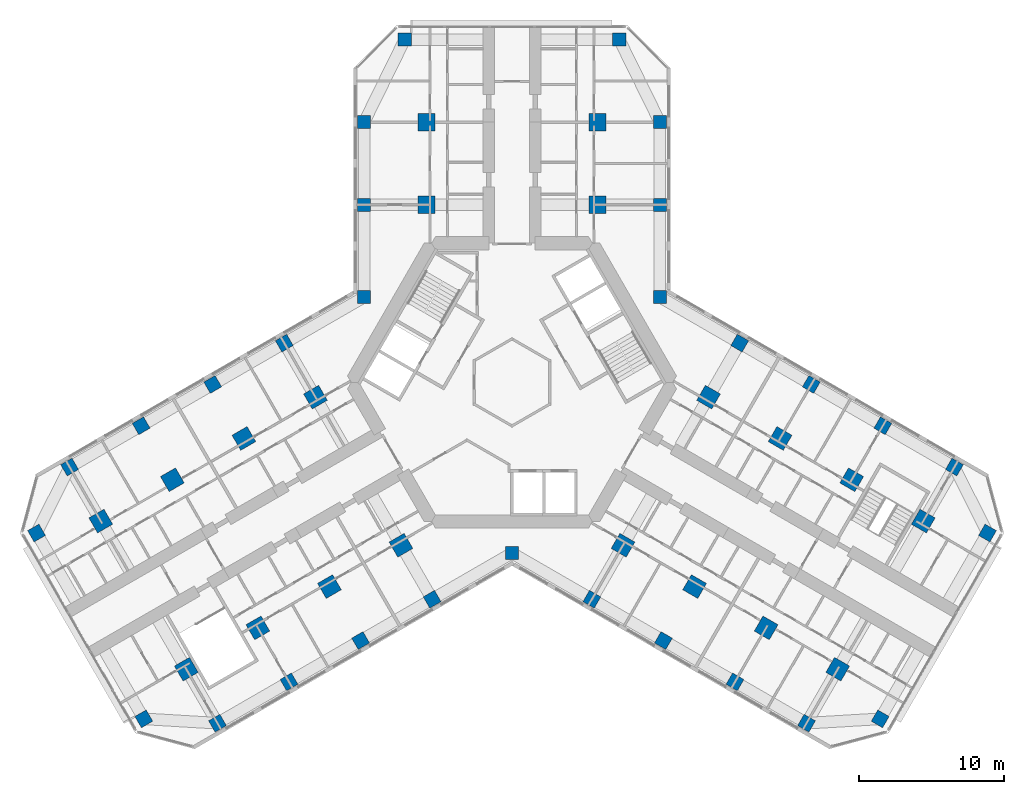
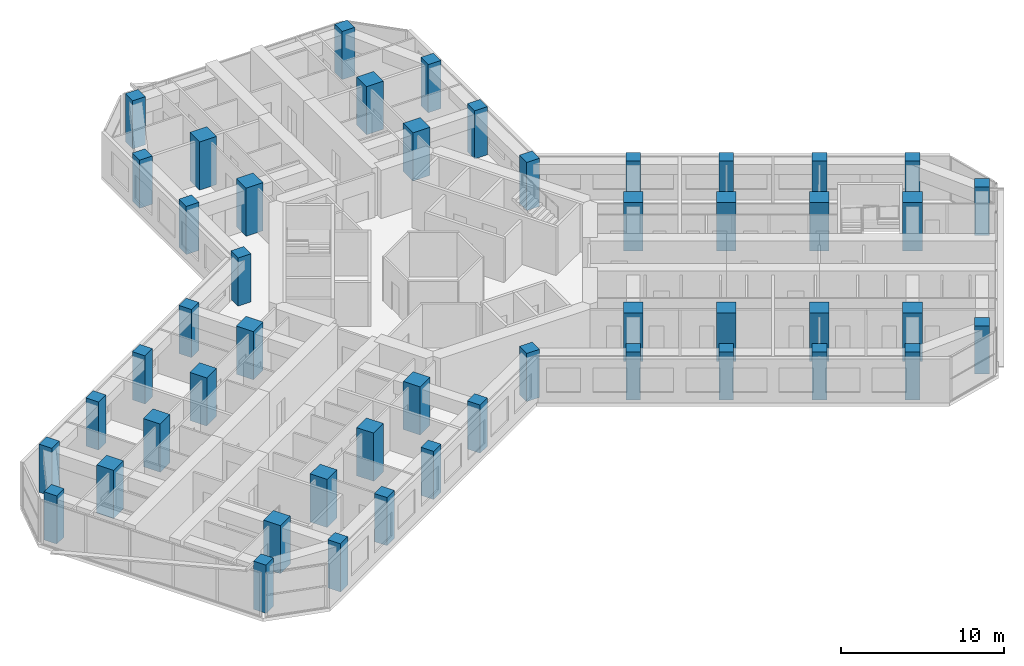
# One storey, part 1 of 20: 49 columns.
"""IFC4 building model written with IfcOpenShell, lengths in metres."""

from ifc_helpers import new_model, si_unit, direction, frame, origin, origin_2d, place, context, subcontext, project, spatial, rectangle, extrude, material, material_profile, profile_set, type_object, element, save


model = new_model("IFC4")

# Units and contexts
model_context = context("Model", 3, precision=1e-05, world=origin(), true_north=direction((0.0, 1.0)))
body_context = subcontext(model_context, "Body", "Model", "MODEL_VIEW")
ifc_project = project(units=[si_unit("LENGTHUNIT", "METRE"), si_unit("AREAUNIT", "SQUARE_METRE"), si_unit("VOLUMEUNIT", "CUBIC_METRE"), si_unit("PLANEANGLEUNIT", "RADIAN"), si_unit("MASSUNIT", "GRAM", prefix="KILO")], contexts=[model_context])

# Site, building, storey
site_placement = place(None, origin())
site = spatial("IfcSite", under=ifc_project, at=site_placement, CompositionType="ELEMENT")
building_placement = place(site_placement, origin())
building = spatial("IfcBuilding", under=site, at=building_placement, Name="Kosmar Iwan School Tower", CompositionType="ELEMENT")
storey_placement = place(building_placement, frame((0.0, 0.0, 183.199951171875)))
storey = spatial("IfcBuildingStorey", under=building, at=storey_placement, Name="L46", CompositionType="ELEMENT", Elevation=183.199951171875)

# Columns
ifc_material_1 = material(Name="Concrete C50/60", Category="concrete")
ifc_material_profile_1 = material_profile(ifc_material_1, rectangle(XDim=0.89990234375, YDim=0.89990234375, at=origin_2d()), Name="RC 900x900 + HD 400x347")
ifc_profile_set_1 = profile_set([ifc_material_profile_1], Name="Concrete C50/60")
column_type_1 = type_object("IfcColumnType", Name="Composite column 900x900 HD 400x347", PredefinedType="COLUMN", material=ifc_profile_set_1)
for number, where, z_axis, x_axis, name in (
    (1, (-10.199951171875, 12.25, 0.0), (0.0, 0.0, 1.0), (0.0, 1.0, 0.0), "Column AL1 L46"),
    (2, (-10.199951171875, 17.949951171875, 0.0), (0.0, 0.0, 1.0), (0.0, 1.0, 0.0), "Column AL2 L46"),
    (3, (-7.39990234375, 23.64990234375, 0.0), (0.0, 0.0, 1.0), (0.0, 1.0, 0.0), "Column ALTIP L46"),
    (4, (10.199951171875, 12.25, 0.0), (0.0, 0.0, 1.0), (0.0, 1.0, 0.0), "Column AR1 L46"),
    (5, (10.199951171875, 17.949951171875, 0.0), (0.0, 0.0, 1.0), (0.0, 1.0, 0.0), "Column AR2 L46"),
    (6, (7.39990234375, 23.64990234375, 0.0), (0.0, 0.0, 1.0), (0.0, 1.0, 0.0), "Column ARTIP L46"),
    (7, (-5.5087890625, -14.95849609375, 0.0), (0.0, 0.0, 1.0), (-0.866025403784, -0.5, 0.0), "Column BL1 L46"),
    (8, (-10.445068359375, -17.808349609375, 0.0), (0.0, 0.0, 1.0), (-0.866025403784, -0.5, 0.0), "Column BL2 L46"),
    (9, (-15.381591796875, -20.658447265625, 0.0), (0.0, 0.0, 1.0), (-0.866025403784, -0.5, 0.0), "Column BL3 L46"),
    (10, (-20.31787109375, -23.508544921875, 0.0), (0.0, 0.0, 1.0), (-0.866025403784, -0.5, 0.0), "Column BL4 L46"),
    (11, (-25.3984375, -23.20849609375, 0.0), (0.0, 0.0, 1.0), (-0.866025403784, -0.5, 0.0), "Column BLTIP L46"),
    (12, (-15.708740234375, 2.70849609375, 0.0), (0.0, 0.0, 1.0), (-0.866025403784, -0.5, 0.0), "Column BR1 L46"),
    (13, (-20.645263671875, -0.1416015625, 0.0), (0.0, 0.0, 1.0), (-0.866025403784, -0.5, 0.0), "Column BR2 L46"),
    (14, (-25.58154296875, -2.991455078125, 0.0), (0.0, 0.0, 1.0), (-0.866025403784, -0.5, 0.0), "Column BR3 L46"),
    (15, (-30.517822265625, -5.841552734375, 0.0), (0.0, 0.0, 1.0), (-0.866025403784, -0.5, 0.0), "Column BR4 L46"),
    (16, (-32.79833984375, -10.391357421875, 0.0), (0.0, 0.0, 1.0), (-0.866025403784, -0.5, 0.0), "Column BRTIP L46"),
    (17, (15.708740234375, 2.70849609375, 0.0), (0.0, 0.0, 1.0), (0.866025403784, -0.5, 0.0), "Column CL1 L46"),
    (18, (20.645263671875, -0.1416015625, 0.0), (0.0, 0.0, 1.0), (0.866025403784, -0.5, 0.0), "Column CL2 L46"),
    (19, (25.58154296875, -2.991455078125, 0.0), (0.0, 0.0, 1.0), (0.866025403784, -0.5, 0.0), "Column CL3 L46"),
    (20, (30.517822265625, -5.841552734375, 0.0), (0.0, 0.0, 1.0), (0.866025403784, -0.5, 0.0), "Column CL4 L46"),
    (21, (32.79833984375, -10.391357421875, 0.0), (0.0, 0.0, 1.0), (0.866025403784, -0.5, 0.0), "Column CLTIP L46"),
    (22, (5.5087890625, -14.95849609375, 0.0), (0.0, 0.0, 1.0), (0.866025403784, -0.5, 0.0), "Column CR1 L46"),
    (23, (10.445068359375, -17.808349609375, 0.0), (0.0, 0.0, 1.0), (0.866025403784, -0.5, 0.0), "Column CR2 L46"),
    (24, (15.381591796875, -20.658447265625, 0.0), (0.0, 0.0, 1.0), (0.866025403784, -0.5, 0.0), "Column CR3 L46"),
    (25, (20.31787109375, -23.508544921875, 0.0), (0.0, 0.0, 1.0), (0.866025403784, -0.5, 0.0), "Column CR4 L46"),
    (26, (25.3984375, -23.20849609375, 0.0), (0.0, 0.0, 1.0), (0.866025403784, -0.5, 0.0), "Column CRTIP L46"),
    (27, (-10.199951171875, 5.888916015625, 0.0), (0.0, 0.0, 1.0), (1.0, 0.0, 0.0), "Column RAB L46"),
    (28, (10.199951171875, 5.888916015625, 0.0), (0.0, 0.0, 1.0), (1.0, 0.0, 0.0), "Column RAC L46"),
    (29, (0.0, -11.77783203125, 0.0), (0.0, 0.0, 1.0), (1.0, 0.0, 0.0), "Column RBC L46"),
):
    element("IfcColumn", number, at=place(storey_placement, frame(where, z_axis=z_axis, x_axis=x_axis)), inside=storey, type_object=column_type_1, Name=name, PredefinedType="COLUMN", context=body_context, shape_type="SweptSolid", body=[
        extrude(rectangle(XDim=0.89990234375, YDim=0.89990234375, at=origin_2d()), origin(), (0.0, 0.0, 1.0), 3.60009765625),
    ])
ifc_material_2 = material(Name="Concrete C50/60", Category="concrete")
ifc_material_profile_2 = material_profile(ifc_material_2, rectangle(XDim=1.199951171875, YDim=1.199951171875, at=origin_2d()), Name="RC 1200x1200")
ifc_profile_set_2 = profile_set([ifc_material_profile_2], Name="Concrete C50/60")
column_type_2 = type_object("IfcColumnType", Name="RC interior column 1200x1200", PredefinedType="COLUMN", material=ifc_profile_set_2)
for number, where, z_axis, x_axis, name in (
    (30, (-5.89990234375, 12.25, 0.0), (0.0, 0.0, 1.0), (0.0, 1.0, 0.0), "Interior column ALI1 L46"),
    (31, (-5.89990234375, 17.949951171875, 0.0), (0.0, 0.0, 1.0), (0.0, 1.0, 0.0), "Interior column ALI2 L46"),
    (32, (5.89990234375, 12.25, 0.0), (0.0, 0.0, 1.0), (0.0, 1.0, 0.0), "Interior column ARI1 L46"),
    (33, (5.89990234375, 17.949951171875, 0.0), (0.0, 0.0, 1.0), (0.0, 1.0, 0.0), "Interior column ARI2 L46"),
    (34, (-7.65869140625, -11.234619140625, 0.0), (0.0, 0.0, 1.0), (-0.866025403784, -0.5, 0.0), "Interior column BLI1 L46"),
    (35, (-12.59521484375, -14.08447265625, 0.0), (0.0, 0.0, 1.0), (-0.866025403784, -0.5, 0.0), "Interior column BLI2 L46"),
    (36, (-17.531494140625, -16.9345703125, 0.0), (0.0, 0.0, 1.0), (-0.866025403784, -0.5, 0.0), "Interior column BLI3 L46"),
    (37, (-22.4677734375, -19.78466796875, 0.0), (0.0, 0.0, 1.0), (-0.866025403784, -0.5, 0.0), "Interior column BLI4 L46"),
    (38, (-13.558837890625, -1.015380859375, 0.0), (0.0, 0.0, 1.0), (-0.866025403784, -0.5, 0.0), "Interior column BRI1 L46"),
    (39, (-18.4951171875, -3.865478515625, 0.0), (0.0, 0.0, 1.0), (-0.866025403784, -0.5, 0.0), "Interior column BRI2 L46"),
    (40, (-23.431396484375, -6.71533203125, 0.0), (0.0, 0.0, 1.0), (-0.866025403784, -0.5, 0.0), "Interior column BRI3 L46"),
    (41, (-28.367919921875, -9.5654296875, 0.0), (0.0, 0.0, 1.0), (-0.866025403784, -0.5, 0.0), "Interior column BRI4 L46"),
    (42, (13.558837890625, -1.015380859375, 0.0), (0.0, 0.0, 1.0), (0.866025403784, -0.5, 0.0), "Interior column CLI1 L46"),
    (43, (18.4951171875, -3.865478515625, 0.0), (0.0, 0.0, 1.0), (0.866025403784, -0.5, 0.0), "Interior column CLI2 L46"),
    (44, (23.431396484375, -6.71533203125, 0.0), (0.0, 0.0, 1.0), (0.866025403784, -0.5, 0.0), "Interior column CLI3 L46"),
    (45, (28.367919921875, -9.5654296875, 0.0), (0.0, 0.0, 1.0), (0.866025403784, -0.5, 0.0), "Interior column CLI4 L46"),
    (46, (7.65869140625, -11.234619140625, 0.0), (0.0, 0.0, 1.0), (0.866025403784, -0.5, 0.0), "Interior column CRI1 L46"),
    (47, (12.59521484375, -14.08447265625, 0.0), (0.0, 0.0, 1.0), (0.866025403784, -0.5, 0.0), "Interior column CRI2 L46"),
    (48, (17.531494140625, -16.9345703125, 0.0), (0.0, 0.0, 1.0), (0.866025403784, -0.5, 0.0), "Interior column CRI3 L46"),
    (49, (22.4677734375, -19.78466796875, 0.0), (0.0, 0.0, 1.0), (0.866025403784, -0.5, 0.0), "Interior column CRI4 L46"),
):
    element("IfcColumn", number, at=place(storey_placement, frame(where, z_axis=z_axis, x_axis=x_axis)), inside=storey, type_object=column_type_2, Name=name, PredefinedType="COLUMN", context=body_context, shape_type="SweptSolid", body=[
        extrude(rectangle(XDim=1.199951171875, YDim=1.199951171875, at=origin_2d()), origin(), (0.0, 0.0, 1.0), 3.60009765625),
    ])

save(model, "model.ifc")
